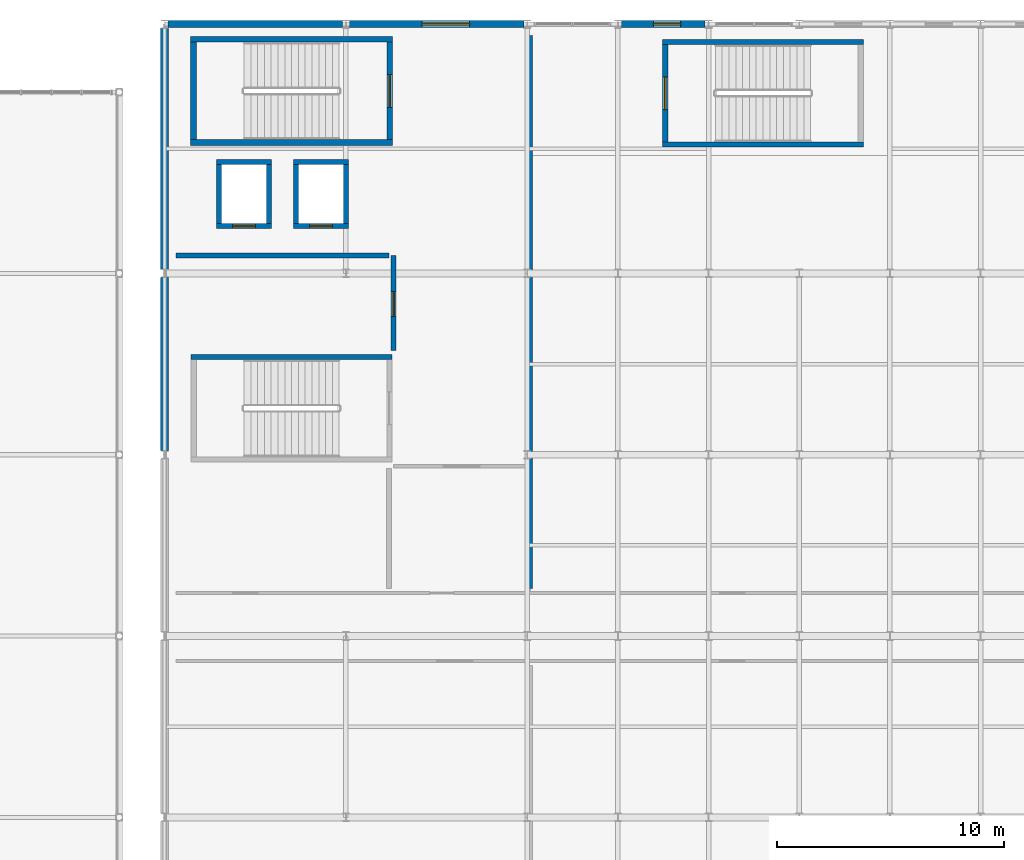
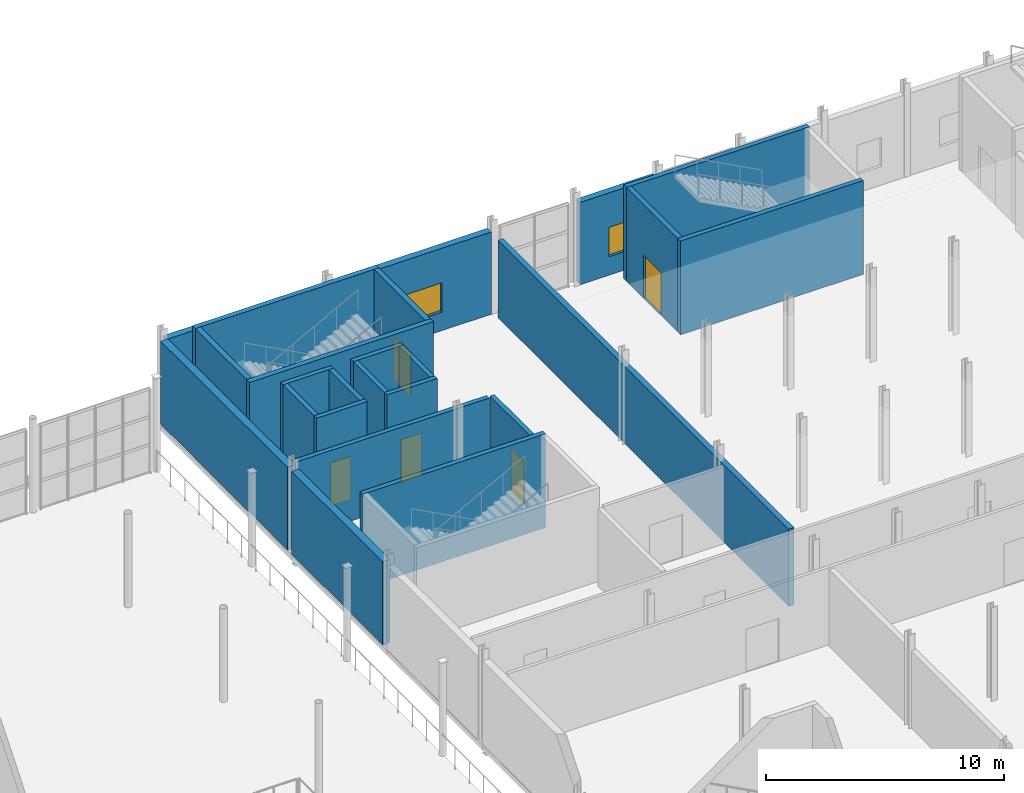
# One storey, part 126 of 143: 24 walls, 5 doors, 2 windows, 7 openings.
"""IFC4 building model written with IfcOpenShell, lengths in metres."""

from ifc_helpers import new_model, si_unit, derived_unit, direction, frame, frame_2d, origin, place, context, subcontext, project, spatial, rectangle, extrude, material, layer, layer_set, type_object, element, fill, save


model = new_model("IFC4")

# Units and contexts
model_context = context("Model", 3, precision=1e-05, world=origin(), true_north=direction((0.0, 1.0)))
body_context = subcontext(model_context, "Body", "Model", "MODEL_VIEW")
ifc_project = project(units=[si_unit("LENGTHUNIT", "METRE"), si_unit("AREAUNIT", "SQUARE_METRE"), si_unit("VOLUMEUNIT", "CUBIC_METRE"), si_unit("PLANEANGLEUNIT", "RADIAN"), si_unit("MASSUNIT", "GRAM", prefix="KILO"), derived_unit("THERMALTRANSMITTANCEUNIT", [(si_unit("POWERUNIT", "WATT"), 1), (si_unit("LENGTHUNIT", "METRE"), -2), (si_unit("THERMODYNAMICTEMPERATUREUNIT", "KELVIN"), -1)])], contexts=[model_context])

# Site, building, storey
site_placement = place(None, origin())
site = spatial("IfcSite", under=ifc_project, at=site_placement, CompositionType="ELEMENT")
building_placement = place(site_placement, origin())
building = spatial("IfcBuilding", under=site, at=building_placement, Name="Keldorne Ridge Multi-Sports Centre", CompositionType="ELEMENT")
storey_placement = place(building_placement, frame((0.0, 0.0, 4.800048828125)))
storey = spatial("IfcBuildingStorey", under=building, at=storey_placement, Name="L01", CompositionType="ELEMENT", Elevation=4.800048828125)

# Wall, opening, door
ifc_material_1 = material(Name="Moisture-resistant stud plumbing wall")
ifc_layer_1 = layer(ifc_material_1, 0.219970703125)
ifc_layer_set_1 = layer_set([ifc_layer_1])
wall_type_1 = type_object("IfcWallType", Name="WAL-PL-01", PredefinedType="PLUMBINGWALL", material=ifc_layer_set_1)
wall_1_placement = place(storey_placement, frame((114.10009765625, 102.60009765625, 0.0), z_axis=(0.0, 0.0, 1.0), x_axis=(0.0, 1.0, 0.0)))
wall_1 = element("IfcWall", 1, at=wall_1_placement, inside=storey, type_object=wall_type_1, Name="First floor Female WC lobby wall IW-L01-046", PredefinedType="PLUMBINGWALL", context=body_context, shape_type="SweptSolid", body=[
    extrude(rectangle(XDim=4.199951171875, YDim=0.219970703125, at=frame_2d((2.10009765625, 0.0))), origin(), (0.0, 0.0, 1.0), 3.949951171875),
])
opening_1_placement = place(wall_1_placement, frame((1.5, 0.0, 0.0)))
opening_1 = element("IfcOpeningElement", 2, at=opening_1_placement, cuts=wall_1, Name="Opening D-03", PredefinedType="OPENING", context=body_context, shape_type="SweptSolid", body=[
    extrude(rectangle(XDim=1.10009765625, YDim=2.199951171875, at=frame_2d((0.550048828125, 1.10009765625))), frame((0.0, 0.1201171875, 0.0), z_axis=(0.0, -1.0, 0.0), x_axis=(1.0, 0.0, 0.0)), (0.0, 0.0, 1.0), 0.239990234375),
])
ifc_material_2 = material(Name="Timber fire-resisting leaf", Category="wood")
door_type_1 = type_object("IfcDoorType", Name="DR-D-03", OperationType="NOTDEFINED", PredefinedType="DOOR", material=ifc_material_2)
door_1_placement = place(opening_1_placement, origin())
door_1 = element("IfcDoor", 3, at=door_1_placement, inside=storey, type_object=door_type_1, Name="First Floor Female WC door D-110", OperationType="SINGLE_SWING_LEFT", OverallHeight=2.199951171875, OverallWidth=1.10009765625, PredefinedType="DOOR", context=body_context, shape_type="SweptSolid", body=[
    extrude(rectangle(XDim=1.10009765625, YDim=2.199951171875, at=frame_2d((0.550048828125, 1.10009765625))), frame((0.0, 0.02490234375, 0.0), z_axis=(0.0, -1.0, 0.0), x_axis=(1.0, 0.0, 0.0)), (0.0, 0.0, 1.0), 0.050048828125),
])
fill(opening_1, door_1)

# Walls
wall_2_placement = place(storey_placement, frame((104.5, 106.800048828125, 0.0), z_axis=(0.0, 0.0, 1.0), x_axis=(1.0, 0.0, 0.0)))
element("IfcWall", 4, at=wall_2_placement, inside=storey, type_object=wall_type_1, Name="First floor Female WC north wall IW-L01-047", PredefinedType="PLUMBINGWALL", context=body_context, shape_type="SweptSolid", body=[
    extrude(rectangle(XDim=9.39990234375, YDim=0.219970703125, at=frame_2d((4.699951171875, 0.0))), origin(), (0.0, 0.0, 1.0), 3.949951171875),
])
ifc_material_3 = material(Name="Moisture-resistant twin plumbing wall")
ifc_layer_2 = layer(ifc_material_3, 0.260009765625)
ifc_layer_set_2 = layer_set([ifc_layer_2])
wall_type_2 = type_object("IfcWallType", Name="WAL-PL-02", PredefinedType="PLUMBINGWALL", material=ifc_layer_set_2)
wall_3_placement = place(storey_placement, frame((120.10009765625, 92.10009765625, 0.0), z_axis=(0.0, 0.0, 1.0), x_axis=(0.0, 1.0, 0.0)))
element("IfcWall", 5, at=wall_3_placement, inside=storey, type_object=wall_type_2, Name="First floor compartment wall IW-L01-050", PredefinedType="PLUMBINGWALL", context=body_context, shape_type="SweptSolid", body=[
    extrude(rectangle(XDim=24.39990234375, YDim=0.260009765625, at=frame_2d((12.199951171875, 0.0))), origin(), (0.0, 0.0, 1.0), 3.949951171875),
])
ifc_material_4 = material(Name="Precast concrete C40/50", Category="concrete")
ifc_layer_3 = layer(ifc_material_4, 0.320068359375)
ifc_layer_set_3 = layer_set([ifc_layer_3], Name="Precast concrete C40/50")
wall_type_3 = type_object("IfcWallType", Name="WAL-PR-W1", PredefinedType="STANDARD", material=ifc_layer_set_3)
wall_4_placement = place(storey_placement, frame((111.847900390625, 117.0, 0.0), z_axis=(0.0, 0.0, 1.0), x_axis=(-1.0, 0.0, 0.0)))
element("IfcWall", 6, at=wall_4_placement, inside=storey, type_object=wall_type_3, Name="East Wing L01 north facade 1", PredefinedType="STANDARD", context=body_context, shape_type="SweptSolid", body=[
    extrude(rectangle(XDim=7.69580078125, YDim=0.320068359375, at=frame_2d((3.847900390625, 0.0))), origin(), (0.0, 0.0, 1.0), 4.21484375),
])

# Wall, opening, window
wall_5_placement = place(storey_placement, frame((119.847900390625, 117.0, 0.0), z_axis=(0.0, 0.0, 1.0), x_axis=(-1.0, 0.0, 0.0)))
wall_5 = element("IfcWall", 7, at=wall_5_placement, inside=storey, type_object=wall_type_3, Name="East Wing L01 north facade 2", PredefinedType="STANDARD", context=body_context, shape_type="SweptSolid", body=[
    extrude(rectangle(XDim=7.69580078125, YDim=0.320068359375, at=frame_2d((3.847900390625, 0.0))), origin(), (0.0, 0.0, 1.0), 4.21484375),
])
opening_2_placement = place(wall_5_placement, frame((2.387939453125, 0.0, 0.949951171875)))
opening_2 = element("IfcOpeningElement", 8, at=opening_2_placement, cuts=wall_5, Name="Opening W-06", PredefinedType="OPENING", context=body_context, shape_type="SweptSolid", body=[
    extrude(rectangle(XDim=2.10009765625, YDim=1.5, at=frame_2d((1.050048828125, 0.75))), frame((0.0, 0.169921875, 0.0), z_axis=(0.0, -1.0, 0.0), x_axis=(1.0, 0.0, 0.0)), (0.0, 0.0, 1.0), 0.340087890625),
])
ifc_material_5 = material(Name="Anodized aluminium", Category="aluminium")
window_type_1 = type_object("IfcWindowType", Name="WIN-W-06", PartitioningType="DOUBLE_PANEL_VERTICAL", PredefinedType="WINDOW", material=ifc_material_5)
window_1_placement = place(opening_2_placement, origin())
window_1 = element("IfcWindow", 9, at=window_1_placement, inside=storey, type_object=window_type_1, Name="East Wing L01 north window W-061", OverallHeight=1.5, OverallWidth=2.10009765625, PartitioningType="SINGLE_PANEL", PredefinedType="WINDOW", context=body_context, shape_type="SweptSolid", body=[
    extrude(rectangle(XDim=2.10009765625, YDim=1.5, at=frame_2d((1.050048828125, 0.75))), frame((0.0, 0.030029296875, 0.0), z_axis=(0.0, -1.0, 0.0), x_axis=(1.0, 0.0, 0.0)), (0.0, 0.0, 1.0), 0.06005859375),
])
fill(opening_2, window_1)

wall_6_placement = place(storey_placement, frame((127.847900390625, 117.0, 0.0), z_axis=(0.0, 0.0, 1.0), x_axis=(-1.0, 0.0, 0.0)))
wall_6 = element("IfcWall", 10, at=wall_6_placement, inside=storey, type_object=wall_type_3, Name="East Wing L01 north facade 4", PredefinedType="STANDARD", context=body_context, shape_type="SweptSolid", body=[
    extrude(rectangle(XDim=3.69580078125, YDim=0.320068359375, at=frame_2d((1.847900390625, 0.0))), origin(), (0.0, 0.0, 1.0), 4.21484375),
])
opening_3_placement = place(wall_6_placement, frame((1.087890625, 0.0, 0.949951171875)))
opening_3 = element("IfcOpeningElement", 11, at=opening_3_placement, cuts=wall_6, Name="Opening W-03", PredefinedType="OPENING", context=body_context, shape_type="SweptSolid", body=[
    extrude(rectangle(XDim=1.199951171875, YDim=1.5, at=frame_2d((0.60009765625, 0.75))), frame((0.0, 0.169921875, 0.0), z_axis=(0.0, -1.0, 0.0), x_axis=(1.0, 0.0, 0.0)), (0.0, 0.0, 1.0), 0.340087890625),
])
window_type_2 = type_object("IfcWindowType", Name="WIN-W-03", PartitioningType="SINGLE_PANEL", PredefinedType="WINDOW", material=ifc_material_5)
window_2_placement = place(opening_3_placement, origin())
window_2 = element("IfcWindow", 12, at=window_2_placement, inside=storey, type_object=window_type_2, Name="East Wing L01 north window W-062", OverallHeight=1.5, OverallWidth=1.199951171875, PartitioningType="SINGLE_PANEL", PredefinedType="WINDOW", context=body_context, shape_type="SweptSolid", body=[
    extrude(rectangle(XDim=1.199951171875, YDim=1.5, at=frame_2d((0.60009765625, 0.75))), frame((0.0, 0.030029296875, 0.0), z_axis=(0.0, -1.0, 0.0), x_axis=(1.0, 0.0, 0.0)), (0.0, 0.0, 1.0), 0.06005859375),
])
fill(opening_3, window_2)

# Walls
ifc_layer_4 = layer(ifc_material_4, 0.360107421875)
ifc_layer_set_4 = layer_set([ifc_layer_4], Name="Precast concrete C40/50")
wall_type_4 = type_object("IfcWallType", Name="WAL-PR-W2", PredefinedType="STANDARD", material=ifc_layer_set_4)
wall_7_placement = place(storey_placement, frame((104.0, 105.818115234375, 0.0), z_axis=(0.0, 0.0, 1.0), x_axis=(0.0, -1.0, 0.0)))
element("IfcWall", 13, at=wall_7_placement, inside=storey, type_object=wall_type_4, Name="East Wing movement-joint wall L01.5", PredefinedType="STANDARD", context=body_context, shape_type="SweptSolid", body=[
    extrude(rectangle(XDim=7.63623046875, YDim=0.360107421875, at=frame_2d((3.818115234375, 0.0))), origin(), (0.0, 0.0, 1.0), 4.25),
])
wall_8_placement = place(storey_placement, frame((104.0, 116.818115234375, 0.0), z_axis=(0.0, 0.0, 1.0), x_axis=(0.0, -1.0, 0.0)))
element("IfcWall", 14, at=wall_8_placement, inside=storey, type_object=wall_type_4, Name="East Wing movement-joint wall L01.6", PredefinedType="STANDARD", context=body_context, shape_type="SweptSolid", body=[
    extrude(rectangle(XDim=10.63623046875, YDim=0.360107421875, at=frame_2d((5.318115234375, 0.0))), origin(), (0.0, 0.0, 1.0), 4.25),
])

# Wall, opening, door
ifc_material_6 = material(Name="Concrete C40/50", Category="concrete")
ifc_layer_5 = layer(ifc_material_6, 0.25)
ifc_layer_set_5 = layer_set([ifc_layer_5], Name="Concrete C40/50")
wall_type_5 = type_object("IfcWallType", Name="WAL-SW01", PredefinedType="SHEAR", material=ifc_layer_set_5)
wall_9_placement = place(storey_placement, frame((113.925048828125, 111.89990234375, 0.0), z_axis=(0.0, 0.0, 1.0), x_axis=(0.0, 1.0, 0.0)))
wall_9 = element("IfcWall", 15, at=wall_9_placement, inside=storey, type_object=wall_type_5, Name="Stair ST-01 shaft wall L01 NEAR", PredefinedType="SHEAR", context=body_context, shape_type="SweptSolid", body=[
    extrude(rectangle(XDim=4.300048828125, YDim=0.25, at=frame_2d((2.14990234375, 0.0))), origin(), (0.0, 0.0, 1.0), 4.800048828125),
])
opening_4_placement = place(wall_9_placement, frame((1.425048828125, 0.0, 0.0)))
opening_4 = element("IfcOpeningElement", 16, at=opening_4_placement, cuts=wall_9, Name="Opening D-05", PredefinedType="OPENING", context=body_context, shape_type="SweptSolid", body=[
    extrude(rectangle(XDim=1.449951171875, YDim=2.199951171875, at=frame_2d((0.72509765625, 1.10009765625))), frame((0.0, 0.135009765625, 0.0), z_axis=(0.0, -1.0, 0.0), x_axis=(1.0, 0.0, 0.0)), (0.0, 0.0, 1.0), 0.27001953125),
])
ifc_material_7 = material(Name="Steel fire-resisting pair", Category="steel")
door_type_2 = type_object("IfcDoorType", Name="DR-D-05", OperationType="NOTDEFINED", PredefinedType="DOOR", material=ifc_material_7)
door_2_placement = place(opening_4_placement, origin())
door_2 = element("IfcDoor", 17, at=door_2_placement, inside=storey, type_object=door_type_2, Name="Stair ST-01 L01 fire door D-003", OperationType="DOUBLE_DOOR_SINGLE_SWING", OverallHeight=2.199951171875, OverallWidth=1.449951171875, PredefinedType="DOOR", context=body_context, shape_type="SweptSolid", body=[
    extrude(rectangle(XDim=1.449951171875, YDim=2.199951171875, at=frame_2d((0.72509765625, 1.10009765625))), frame((0.0, 0.02490234375, 0.0), z_axis=(0.0, -1.0, 0.0), x_axis=(1.0, 0.0, 0.0)), (0.0, 0.0, 1.0), 0.050048828125),
])
fill(opening_4, door_2)

# Walls
wall_10_placement = place(storey_placement, frame((105.27490234375, 116.199951171875, 0.0), z_axis=(0.0, 0.0, 1.0), x_axis=(0.0, -1.0, 0.0)))
element("IfcWall", 18, at=wall_10_placement, inside=storey, type_object=wall_type_5, Name="Stair ST-01 shaft wall L01 FAR", PredefinedType="SHEAR", context=body_context, shape_type="SweptSolid", body=[
    extrude(rectangle(XDim=4.300048828125, YDim=0.25, at=frame_2d((2.14990234375, 0.0))), origin(), (0.0, 0.0, 1.0), 4.800048828125),
])
for number, where, z_axis, x_axis, name in (
    (19, (105.14990234375, 111.77490234375, 0.0), (0.0, 0.0, 1.0), (1.0, 0.0, 0.0), "Stair ST-01 shaft wall L01 SOUTH"),
    (20, (114.050048828125, 116.324951171875, 0.0), (0.0, 0.0, 1.0), (-1.0, 0.0, 0.0), "Stair ST-01 shaft wall L01 NORTH"),
):
    element("IfcWall", number, at=place(storey_placement, frame(where, z_axis=z_axis, x_axis=x_axis)), inside=storey, type_object=wall_type_5, Name=name, PredefinedType="SHEAR", context=body_context, shape_type="SweptSolid", body=[
        extrude(rectangle(XDim=8.900146484375, YDim=0.25, at=frame_2d((4.4501953125, 0.0))), origin(), (0.0, 0.0, 1.0), 4.800048828125),
    ])

# Wall, opening, door
ifc_layer_6 = layer(ifc_material_6, 0.22998046875)
ifc_layer_set_6 = layer_set([ifc_layer_6], Name="Concrete C40/50")
wall_type_6 = type_object("IfcWallType", Name="WAL-SW02", PredefinedType="SHEAR", material=ifc_layer_set_6)
wall_11_placement = place(storey_placement, frame((106.280029296875, 108.090087890625, 0.0), z_axis=(0.0, 0.0, 1.0), x_axis=(1.0, 0.0, 0.0)))
wall_11 = element("IfcWall", 21, at=wall_11_placement, inside=storey, type_object=wall_type_6, Name="Lift L-01 shaft wall L01 south", PredefinedType="SHEAR", context=body_context, shape_type="SweptSolid", body=[
    extrude(rectangle(XDim=2.43994140625, YDim=0.219970703125, at=frame_2d((1.219970703125, 0.0))), origin(), (0.0, 0.0, 1.0), 4.800048828125),
])
opening_5_placement = place(wall_11_placement, frame((0.719970703125, 0.0, 0.0)))
opening_5 = element("IfcOpeningElement", 22, at=opening_5_placement, cuts=wall_11, Name="Opening LD-01", PredefinedType="OPENING", context=body_context, shape_type="SweptSolid", body=[
    extrude(rectangle(XDim=1.0, YDim=2.199951171875, at=frame_2d((0.5, 1.10009765625))), frame((0.0, 0.1201171875, 0.0), z_axis=(0.0, -1.0, 0.0), x_axis=(1.0, 0.0, 0.0)), (0.0, 0.0, 1.0), 0.239990234375),
])
ifc_material_8 = material(Name="Stainless steel", Category="steel")
door_type_3 = type_object("IfcDoorType", Name="DR-LD-01", OperationType="NOTDEFINED", PredefinedType="DOOR", material=ifc_material_8)
door_3_placement = place(opening_5_placement, origin())
door_3 = element("IfcDoor", 23, at=door_3_placement, inside=storey, type_object=door_type_3, Name="Lift L-01 sliding landing door L01", OperationType="SLIDING_TO_LEFT", OverallHeight=2.199951171875, OverallWidth=1.0, PredefinedType="DOOR", context=body_context, shape_type="SweptSolid", body=[
    extrude(rectangle(XDim=1.0, YDim=2.199951171875, at=frame_2d((0.5, 1.10009765625))), frame((0.0, 0.02490234375, 0.0), z_axis=(0.0, -1.0, 0.0), x_axis=(1.0, 0.0, 0.0)), (0.0, 0.0, 1.0), 0.050048828125),
])
fill(opening_5, door_3)

# Walls
wall_12_placement = place(storey_placement, frame((108.719970703125, 110.909912109375, 0.0), z_axis=(0.0, 0.0, 1.0), x_axis=(-1.0, 0.0, 0.0)))
element("IfcWall", 24, at=wall_12_placement, inside=storey, type_object=wall_type_6, Name="Lift L-01 shaft wall L01 north", PredefinedType="SHEAR", context=body_context, shape_type="SweptSolid", body=[
    extrude(rectangle(XDim=2.43994140625, YDim=0.219970703125, at=frame_2d((1.219970703125, 0.0))), origin(), (0.0, 0.0, 1.0), 4.800048828125),
])
for number, where, z_axis, x_axis, name in (
    (25, (106.389892578125, 110.800048828125, 0.0), (0.0, 0.0, 1.0), (0.0, -1.0, 0.0), "Lift L-01 shaft wall L01 west"),
    (26, (108.610107421875, 108.199951171875, 0.0), (0.0, 0.0, 1.0), (0.0, 1.0, 0.0), "Lift L-01 shaft wall L01 east"),
):
    element("IfcWall", number, at=place(storey_placement, frame(where, z_axis=z_axis, x_axis=x_axis)), inside=storey, type_object=wall_type_6, Name=name, PredefinedType="SHEAR", context=body_context, shape_type="SweptSolid", body=[
        extrude(rectangle(XDim=2.60009765625, YDim=0.219970703125, at=frame_2d((1.300048828125, 0.0))), origin(), (0.0, 0.0, 1.0), 4.800048828125),
    ])

# Wall, opening, door
wall_13_placement = place(storey_placement, frame((109.679931640625, 108.090087890625, 0.0), z_axis=(0.0, 0.0, 1.0), x_axis=(1.0, 0.0, 0.0)))
wall_13 = element("IfcWall", 27, at=wall_13_placement, inside=storey, type_object=wall_type_6, Name="Lift L-02 shaft wall L01 south", PredefinedType="SHEAR", context=body_context, shape_type="SweptSolid", body=[
    extrude(rectangle(XDim=2.440185546875, YDim=0.219970703125, at=frame_2d((1.22021484375, 0.0))), origin(), (0.0, 0.0, 1.0), 4.800048828125),
])
opening_6_placement = place(wall_13_placement, frame((0.719970703125, 0.0, 0.0)))
opening_6 = element("IfcOpeningElement", 28, at=opening_6_placement, cuts=wall_13, Name="Opening LD-01", PredefinedType="OPENING", context=body_context, shape_type="SweptSolid", body=[
    extrude(rectangle(XDim=1.0, YDim=2.199951171875, at=frame_2d((0.5, 1.10009765625))), frame((0.0, 0.1201171875, 0.0), z_axis=(0.0, -1.0, 0.0), x_axis=(1.0, 0.0, 0.0)), (0.0, 0.0, 1.0), 0.239990234375),
])
door_4_placement = place(opening_6_placement, origin())
door_4 = element("IfcDoor", 29, at=door_4_placement, inside=storey, type_object=door_type_3, Name="Lift L-02 sliding landing door L01", OperationType="SLIDING_TO_LEFT", OverallHeight=2.199951171875, OverallWidth=1.0, PredefinedType="DOOR", context=body_context, shape_type="SweptSolid", body=[
    extrude(rectangle(XDim=1.0, YDim=2.199951171875, at=frame_2d((0.5, 1.10009765625))), frame((0.0, 0.02490234375, 0.0), z_axis=(0.0, -1.0, 0.0), x_axis=(1.0, 0.0, 0.0)), (0.0, 0.0, 1.0), 0.050048828125),
])
fill(opening_6, door_4)

# Walls
wall_14_placement = place(storey_placement, frame((112.1201171875, 110.909912109375, 0.0), z_axis=(0.0, 0.0, 1.0), x_axis=(-1.0, 0.0, 0.0)))
element("IfcWall", 30, at=wall_14_placement, inside=storey, type_object=wall_type_6, Name="Lift L-02 shaft wall L01 north", PredefinedType="SHEAR", context=body_context, shape_type="SweptSolid", body=[
    extrude(rectangle(XDim=2.440185546875, YDim=0.219970703125, at=frame_2d((1.22021484375, 0.0))), origin(), (0.0, 0.0, 1.0), 4.800048828125),
])
for number, where, z_axis, x_axis, name in (
    (31, (109.7900390625, 110.800048828125, 0.0), (0.0, 0.0, 1.0), (0.0, -1.0, 0.0), "Lift L-02 shaft wall L01 west"),
    (32, (112.010009765625, 108.199951171875, 0.0), (0.0, 0.0, 1.0), (0.0, 1.0, 0.0), "Lift L-02 shaft wall L01 east"),
):
    element("IfcWall", number, at=place(storey_placement, frame(where, z_axis=z_axis, x_axis=x_axis)), inside=storey, type_object=wall_type_6, Name=name, PredefinedType="SHEAR", context=body_context, shape_type="SweptSolid", body=[
        extrude(rectangle(XDim=2.60009765625, YDim=0.219970703125, at=frame_2d((1.300048828125, 0.0))), origin(), (0.0, 0.0, 1.0), 4.800048828125),
    ])

# Wall, opening, door
wall_15_placement = place(storey_placement, frame((126.0849609375, 111.800048828125, 0.0), z_axis=(0.0, 0.0, 1.0), x_axis=(0.0, 1.0, 0.0)))
wall_15 = element("IfcWall", 33, at=wall_15_placement, inside=storey, type_object=wall_type_6, Name="Stair ST-10 shaft wall L01 NEAR", PredefinedType="SHEAR", context=body_context, shape_type="SweptSolid", body=[
    extrude(rectangle(XDim=4.300048828125, YDim=0.22998046875, at=frame_2d((2.14990234375, 0.0))), origin(), (0.0, 0.0, 1.0), 4.800048828125),
])
opening_7_placement = place(wall_15_placement, frame((1.425048828125, 0.0, 0.0)))
opening_7 = element("IfcOpeningElement", 34, at=opening_7_placement, cuts=wall_15, Name="Opening D-05", PredefinedType="OPENING", context=body_context, shape_type="SweptSolid", body=[
    extrude(rectangle(XDim=1.449951171875, YDim=2.199951171875, at=frame_2d((0.72509765625, 1.10009765625))), frame((0.0, 0.125, 0.0), z_axis=(0.0, -1.0, 0.0), x_axis=(1.0, 0.0, 0.0)), (0.0, 0.0, 1.0), 0.25),
])
door_5_placement = place(opening_7_placement, origin())
door_5 = element("IfcDoor", 35, at=door_5_placement, inside=storey, type_object=door_type_2, Name="Stair ST-10 L01 fire door D-040", OperationType="DOUBLE_DOOR_SINGLE_SWING", OverallHeight=2.199951171875, OverallWidth=1.449951171875, PredefinedType="DOOR", context=body_context, shape_type="SweptSolid", body=[
    extrude(rectangle(XDim=1.449951171875, YDim=2.199951171875, at=frame_2d((0.72509765625, 1.10009765625))), frame((0.0, 0.02490234375, 0.0), z_axis=(0.0, -1.0, 0.0), x_axis=(1.0, 0.0, 0.0)), (0.0, 0.0, 1.0), 0.050048828125),
])
fill(opening_7, door_5)

# Walls
for number, where, z_axis, x_axis, name in (
    (36, (125.969970703125, 111.68505859375, 0.0), (0.0, 0.0, 1.0), (1.0, 0.0, 0.0), "Stair ST-10 shaft wall L01 SOUTH"),
    (37, (134.830078125, 116.215087890625, 0.0), (0.0, 0.0, 1.0), (-1.0, 0.0, 0.0), "Stair ST-10 shaft wall L01 NORTH"),
    (38, (114.030029296875, 102.31494140625, 0.0), (0.0, 0.0, 1.0), (-1.0, 0.0, 0.0), "Stair ST-11 shaft wall L01 NORTH"),
):
    element("IfcWall", number, at=place(storey_placement, frame(where, z_axis=z_axis, x_axis=x_axis)), inside=storey, type_object=wall_type_6, Name=name, PredefinedType="SHEAR", context=body_context, shape_type="SweptSolid", body=[
        extrude(rectangle(XDim=8.860107421875, YDim=0.22998046875, at=frame_2d((4.43017578125, 0.0))), origin(), (0.0, 0.0, 1.0), 4.800048828125),
    ])

save(model, "model.ifc")
